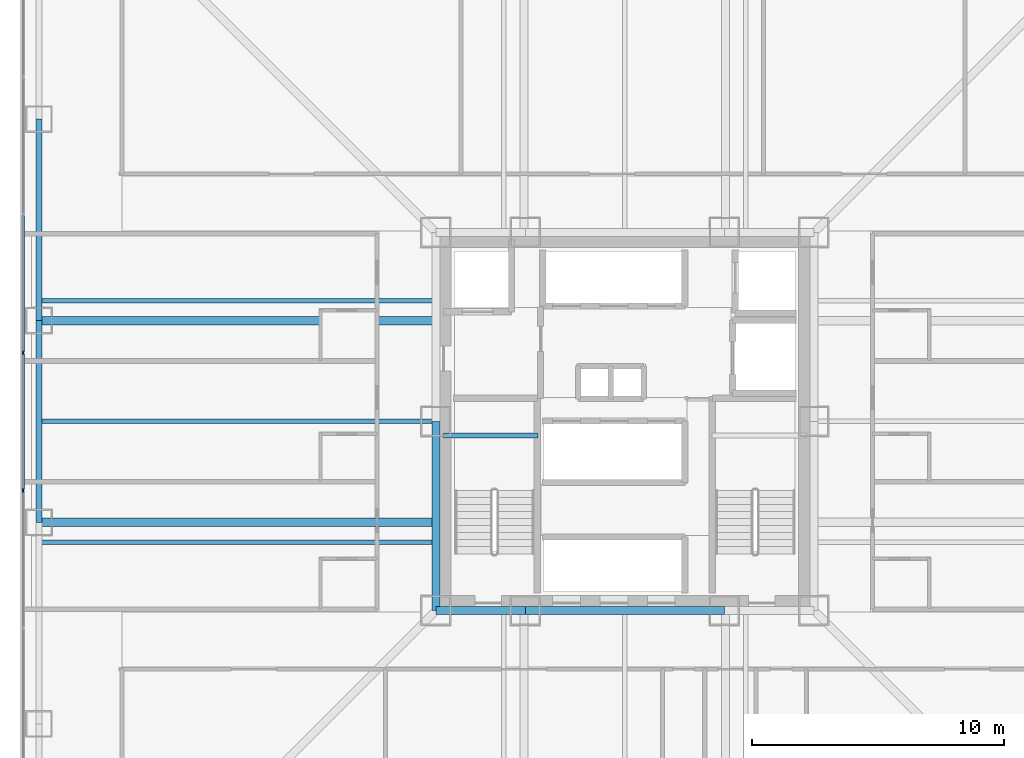
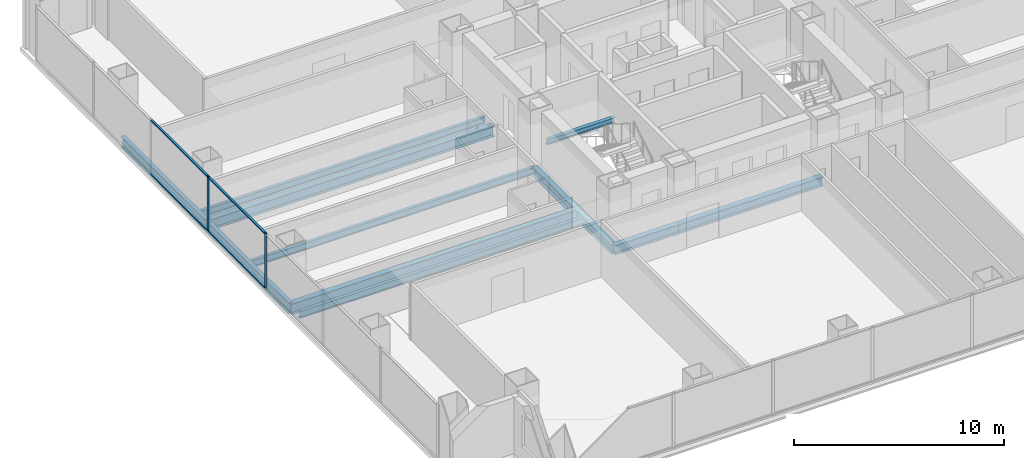
# One storey, part 4 of 16: 11 beams, 6 members, 1 element without a shape of its own.
"""IFC4 building model written with IfcOpenShell, lengths in metres."""

from ifc_helpers import new_model, si_unit, direction, frame, origin, origin_2d, place, context, subcontext, project, spatial, rectangle, i_section, extrude, material, layer, layer_set, material_profile, profile_set, type_object, element, aggregate, save


model = new_model("IFC4")

# Units and contexts
model_context = context("Model", 3, precision=1e-05, world=origin(), true_north=direction((0.0, 1.0)))
body_context = subcontext(model_context, "Body", "Model", "MODEL_VIEW")
ifc_project = project(units=[si_unit("LENGTHUNIT", "METRE"), si_unit("AREAUNIT", "SQUARE_METRE"), si_unit("VOLUMEUNIT", "CUBIC_METRE"), si_unit("PLANEANGLEUNIT", "RADIAN"), si_unit("MASSUNIT", "GRAM", prefix="KILO")], contexts=[model_context])

# Site, building, storey
site_placement = place(None, origin())
site = spatial("IfcSite", under=ifc_project, at=site_placement, CompositionType="ELEMENT")
building_placement = place(site_placement, origin())
building = spatial("IfcBuilding", under=site, at=building_placement, Name="Trevonay Congress Spire", CompositionType="ELEMENT")
storey_placement = place(building_placement, frame((0.0, 0.0, 51.5)))
storey = spatial("IfcBuildingStorey", under=building, at=storey_placement, Name="L12", CompositionType="ELEMENT", Elevation=51.5)

# Beams
ifc_material_1 = material(Name="Steel ASTM A572 Grade 50", Category="steel")
ifc_material_profile_1 = material_profile(ifc_material_1, i_section(OverallWidth=0.31201171875, OverallDepth=0.54296875, WebThickness=0.0126953125, FlangeThickness=0.020263671875, FilletRadius=0.014892578125, at=origin_2d()), Name="W530x150")
ifc_profile_set_1 = profile_set([ifc_material_profile_1], Name="Steel ASTM A572 Grade 50")
beam_type_1 = type_object("IfcBeamType", Name="BM-GIRD-W530X150", PredefinedType="BEAM", material=ifc_profile_set_1)
beam_1_placement = place(storey_placement, frame((-7.5, -7.5, -0.521484375), z_axis=(1.0, 0.0, 0.0), x_axis=(0.0, 1.0, 0.0)))
element("IfcBeam", 1, at=beam_1_placement, inside=storey, type_object=beam_type_1, Name="L12 structural beam BM-L12-CR-S1", PredefinedType="BEAM", context=body_context, shape_type="SweptSolid", body=[
    extrude(i_section(OverallWidth=0.31201171875, OverallDepth=0.54296875, WebThickness=0.0126953125, FlangeThickness=0.020263671875, FilletRadius=0.014892578125, at=origin_2d()), origin(), (0.0, 0.0, 1.0), 3.550048828125),
])
beam_2_placement = place(storey_placement, frame((-3.949951171875, -7.5, -0.521484375), z_axis=(1.0, 0.0, 0.0), x_axis=(0.0, 1.0, 0.0)))
element("IfcBeam", 2, at=beam_2_placement, inside=storey, type_object=beam_type_1, Name="L12 structural beam BM-L12-CR-S2", PredefinedType="BEAM", context=body_context, shape_type="SweptSolid", body=[
    extrude(i_section(OverallWidth=0.31201171875, OverallDepth=0.54296875, WebThickness=0.0126953125, FlangeThickness=0.020263671875, FilletRadius=0.014892578125, at=origin_2d()), origin(), (0.0, 0.0, 1.0), 7.89990234375),
])
beam_3_placement = place(storey_placement, frame((-7.5, -7.5, -0.521484375), z_axis=(0.0, 1.0, 0.0), x_axis=(-1.0, 0.0, 0.0)))
element("IfcBeam", 3, at=beam_3_placement, inside=storey, type_object=beam_type_1, Name="L12 structural beam BM-L12-CR-W1", PredefinedType="BEAM", context=body_context, shape_type="SweptSolid", body=[
    extrude(i_section(OverallWidth=0.31201171875, OverallDepth=0.54296875, WebThickness=0.0126953125, FlangeThickness=0.020263671875, FilletRadius=0.014892578125, at=origin_2d()), origin(), (0.0, 0.0, 1.0), 7.5),
])
ifc_material_profile_2 = material_profile(ifc_material_1, i_section(OverallWidth=0.324951171875, OverallDepth=0.615966796875, WebThickness=0.013916015625, FlangeThickness=0.021484375, FilletRadius=0.01806640625, at=origin_2d()), Name="W610x174")
ifc_profile_set_2 = profile_set([ifc_material_profile_2], Name="Steel ASTM A572 Grade 50")
beam_type_2 = type_object("IfcBeamType", Name="BM-GIRD-W610X174", PredefinedType="BEAM", material=ifc_profile_set_2)
for number, where, z_axis, x_axis, name in (
    (4, (-7.5, -4.0, -0.55810546875), (-1.0, 0.0, 0.0), (0.0, -1.0, 0.0), "L12 structural beam BM-L12-GW-M"),
    (5, (-7.5, 4.0, -0.55810546875), (-1.0, 0.0, 0.0), (0.0, -1.0, 0.0), "L12 structural beam BM-L12-GW-P"),
):
    element("IfcBeam", number, at=place(storey_placement, frame(where, z_axis=z_axis, x_axis=x_axis)), inside=storey, type_object=beam_type_2, Name=name, PredefinedType="BEAM", context=body_context, shape_type="SweptSolid", body=[
        extrude(i_section(OverallWidth=0.324951171875, OverallDepth=0.615966796875, WebThickness=0.013916015625, FlangeThickness=0.021484375, FilletRadius=0.01806640625, at=origin_2d()), origin(), (0.0, 0.0, 1.0), 15.75),
    ])
ifc_material_profile_3 = material_profile(ifc_material_1, i_section(OverallWidth=0.22998046875, OverallDepth=0.616943359375, WebThickness=0.01318359375, FlangeThickness=0.022216796875, FilletRadius=0.01611328125, at=origin_2d()), Name="W610x140")
ifc_profile_set_3 = profile_set([ifc_material_profile_3], Name="Steel ASTM A572 Grade 50")
beam_type_3 = type_object("IfcBeamType", Name="BM-RING-W610X140", PredefinedType="BEAM", material=ifc_profile_set_3)
for number, where, z_axis, x_axis, name in (
    (6, (-23.25, -4.0, -0.55859375), (0.0, 1.0, 0.0), (-1.0, 0.0, 0.0), "L12 structural beam BM-L12-PW3"),
    (7, (-23.25, 4.0, -0.55859375), (0.0, 1.0, 0.0), (-1.0, 0.0, 0.0), "L12 structural beam BM-L12-PW4"),
):
    element("IfcBeam", number, at=place(storey_placement, frame(where, z_axis=z_axis, x_axis=x_axis)), inside=storey, type_object=beam_type_3, Name=name, PredefinedType="BEAM", context=body_context, shape_type="SweptSolid", body=[
        extrude(i_section(OverallWidth=0.22998046875, OverallDepth=0.616943359375, WebThickness=0.01318359375, FlangeThickness=0.022216796875, FilletRadius=0.01611328125, at=origin_2d()), origin(), (0.0, 0.0, 1.0), 8.0),
    ])

# Curtain wall, members
ifc_material_2 = material(Name="Pale Anodised Aluminium EN AW-6063-T6", Category="aluminium")
ifc_layer = layer(ifc_material_2, 0.179931640625, Name="Pale Anodised Aluminium EN AW-6063-T6")
ifc_layer_set = layer_set([ifc_layer], Name="Pale Anodised Aluminium EN AW-6063-T6")
curtain_wall_type = type_object("IfcCurtainWallType", Name="CW-SYS02-HOTEL-PALE-METAL", PredefinedType="NOTDEFINED", material=ifc_layer_set)
curtain_wall_placement = place(storey_placement, origin())
curtain_wall = element("IfcCurtainWall", 8, at=curtain_wall_placement, inside=storey, type_object=curtain_wall_type, Name="L12 W unitised curtain wall", PredefinedType="NOTDEFINED")
ifc_material_profile_4 = material_profile(ifc_material_2, rectangle(XDim=0.06005859375, YDim=0.159912109375, at=origin_2d()), Name="CW-MULLION-160-ALUMINIUM")
ifc_profile_set_4 = profile_set([ifc_material_profile_4], Name="Pale Anodised Aluminium EN AW-6063-T6")
member_type_1 = type_object("IfcMemberType", Name="CW-MULLION-160-ALUMINIUM", PredefinedType="MULLION", material=ifc_profile_set_4)
member_1_placement = place(storey_placement, frame((-23.8798828125, -2.735595703125, 0.0), z_axis=(0.0, 0.0, 1.0), x_axis=(-1.0, 0.0, 0.0)))
member_1 = element("IfcMember", 9, at=member_1_placement, type_object=member_type_1, Name="CW02 mullion 4", PredefinedType="MULLION", context=body_context, shape_type="SweptSolid", body=[
    extrude(rectangle(XDim=0.06005859375, YDim=0.159912109375, at=origin_2d()), origin(), (0.0, 0.0, 1.0), 3.25),
])
member_2_placement = place(storey_placement, frame((-23.8798828125, 2.735595703125, 0.0), z_axis=(0.0, 0.0, 1.0), x_axis=(-1.0, 0.0, 0.0)))
member_2 = element("IfcMember", 10, at=member_2_placement, type_object=member_type_1, Name="CW02 mullion 5", PredefinedType="MULLION", context=body_context, shape_type="SweptSolid", body=[
    extrude(rectangle(XDim=0.06005859375, YDim=0.159912109375, at=origin_2d()), origin(), (0.0, 0.0, 1.0), 3.25),
])
ifc_material_profile_5 = material_profile(ifc_material_2, rectangle(XDim=0.1201171875, YDim=0.06005859375, at=origin_2d()), Name="CW-TRANSOM-120-ALUMINIUM")
ifc_profile_set_5 = profile_set([ifc_material_profile_5], Name="Pale Anodised Aluminium EN AW-6063-T6")
member_type_2 = type_object("IfcMemberType", Name="CW-TRANSOM-120-ALUMINIUM", PredefinedType="USERDEFINED", material=ifc_profile_set_5)
member_3_placement = place(storey_placement, frame((-23.8798828125, -2.705810546875, 0.06005859375), z_axis=(0.0, 1.0, 0.0), x_axis=(-1.0, 0.0, 0.0)))
member_3 = element("IfcMember", 11, at=member_3_placement, type_object=member_type_2, Name="CW02 transom 4.1", ObjectType="TRANSOM", PredefinedType="USERDEFINED", context=body_context, shape_type="SweptSolid", body=[
    extrude(rectangle(XDim=0.1201171875, YDim=0.06005859375, at=origin_2d()), origin(), (0.0, 0.0, 1.0), 5.41162109375),
])
member_4_placement = place(storey_placement, frame((-23.8798828125, -2.705810546875, 3.18994140625), z_axis=(0.0, 1.0, 0.0), x_axis=(-1.0, 0.0, 0.0)))
member_4 = element("IfcMember", 12, at=member_4_placement, type_object=member_type_2, Name="CW02 transom 4.2", ObjectType="TRANSOM", PredefinedType="USERDEFINED", context=body_context, shape_type="SweptSolid", body=[
    extrude(rectangle(XDim=0.1201171875, YDim=0.06005859375, at=origin_2d()), origin(), (0.0, 0.0, 1.0), 5.41162109375),
])
member_5_placement = place(storey_placement, frame((-23.8798828125, 2.765625, 0.06005859375), z_axis=(0.0, 1.0, 0.0), x_axis=(-1.0, 0.0, 0.0)))
member_5 = element("IfcMember", 13, at=member_5_placement, type_object=member_type_2, Name="CW02 transom 5.1", ObjectType="TRANSOM", PredefinedType="USERDEFINED", context=body_context, shape_type="SweptSolid", body=[
    extrude(rectangle(XDim=0.1201171875, YDim=0.06005859375, at=origin_2d()), origin(), (0.0, 0.0, 1.0), 5.41162109375),
])
member_6_placement = place(storey_placement, frame((-23.8798828125, 2.765625, 3.18994140625), z_axis=(0.0, 1.0, 0.0), x_axis=(-1.0, 0.0, 0.0)))
member_6 = element("IfcMember", 14, at=member_6_placement, type_object=member_type_2, Name="CW02 transom 5.2", ObjectType="TRANSOM", PredefinedType="USERDEFINED", context=body_context, shape_type="SweptSolid", body=[
    extrude(rectangle(XDim=0.1201171875, YDim=0.06005859375, at=origin_2d()), origin(), (0.0, 0.0, 1.0), 5.41162109375),
])
aggregate(curtain_wall, [member_1, member_2, member_3, member_4, member_5, member_6])

# Beams
ifc_material_profile_6 = material_profile(ifc_material_1, i_section(OverallWidth=0.177978515625, OverallDepth=0.406982421875, WebThickness=0.0078125, FlangeThickness=0.0126953125, FilletRadius=0.012939453125, at=origin_2d()), Name="W410x60")
ifc_profile_set_6 = profile_set([ifc_material_profile_6], Name="Steel ASTM A572 Grade 50")
beam_type_4 = type_object("IfcBeamType", Name="JS-COMP-W410X60", PredefinedType="JOIST", material=ifc_profile_set_6)
for number, where, z_axis, x_axis, name in (
    (15, (-23.25, -4.800048828125, -0.45361328125), (1.0, 0.0, 0.0), (0.0, 1.0, 0.0), "L12 structural beam JS-L12-EW-W1"),
    (16, (-23.25, 0.0, -0.45361328125), (1.0, 0.0, 0.0), (0.0, 1.0, 0.0), "L12 structural beam JS-L12-EW-W2"),
    (17, (-23.25, 4.800048828125, -0.45361328125), (1.0, 0.0, 0.0), (0.0, 1.0, 0.0), "L12 structural beam JS-L12-EW-W3"),
):
    element("IfcBeam", number, at=place(storey_placement, frame(where, z_axis=z_axis, x_axis=x_axis)), inside=storey, type_object=beam_type_4, Name=name, PredefinedType="JOIST", context=body_context, shape_type="SweptSolid", body=[
        extrude(i_section(OverallWidth=0.177978515625, OverallDepth=0.406982421875, WebThickness=0.0078125, FlangeThickness=0.0126953125, FilletRadius=0.012939453125, at=origin_2d()), origin(), (0.0, 0.0, 1.0), 15.75),
    ])
ifc_material_profile_7 = material_profile(ifc_material_1, i_section(OverallWidth=0.2041015625, OverallDepth=0.305908203125, WebThickness=0.008544921875, FlangeThickness=0.0146484375, FilletRadius=0.010986328125, at=origin_2d()), Name="W310x67")
ifc_profile_set_7 = profile_set([ifc_material_profile_7], Name="Steel ASTM A572 Grade 50")
beam_type_5 = type_object("IfcBeamType", Name="LN-CORE-W310X67", PredefinedType="LINTEL", material=ifc_profile_set_7)
beam_4_placement = place(storey_placement, frame((-7.199951171875, -0.550048828125, 1.39697265625), z_axis=(1.0, 0.0, 0.0), x_axis=(0.0, 1.0, 0.0)))
element("IfcBeam", 18, at=beam_4_placement, inside=storey, type_object=beam_type_5, Name="L12 structural beam BM-L12-HL-ST1", PredefinedType="LINTEL", context=body_context, shape_type="SweptSolid", body=[
    extrude(i_section(OverallWidth=0.2041015625, OverallDepth=0.305908203125, WebThickness=0.008544921875, FlangeThickness=0.0146484375, FilletRadius=0.010986328125, at=origin_2d()), origin(), (0.0, 0.0, 1.0), 3.75),
])

save(model, "model.ifc")
